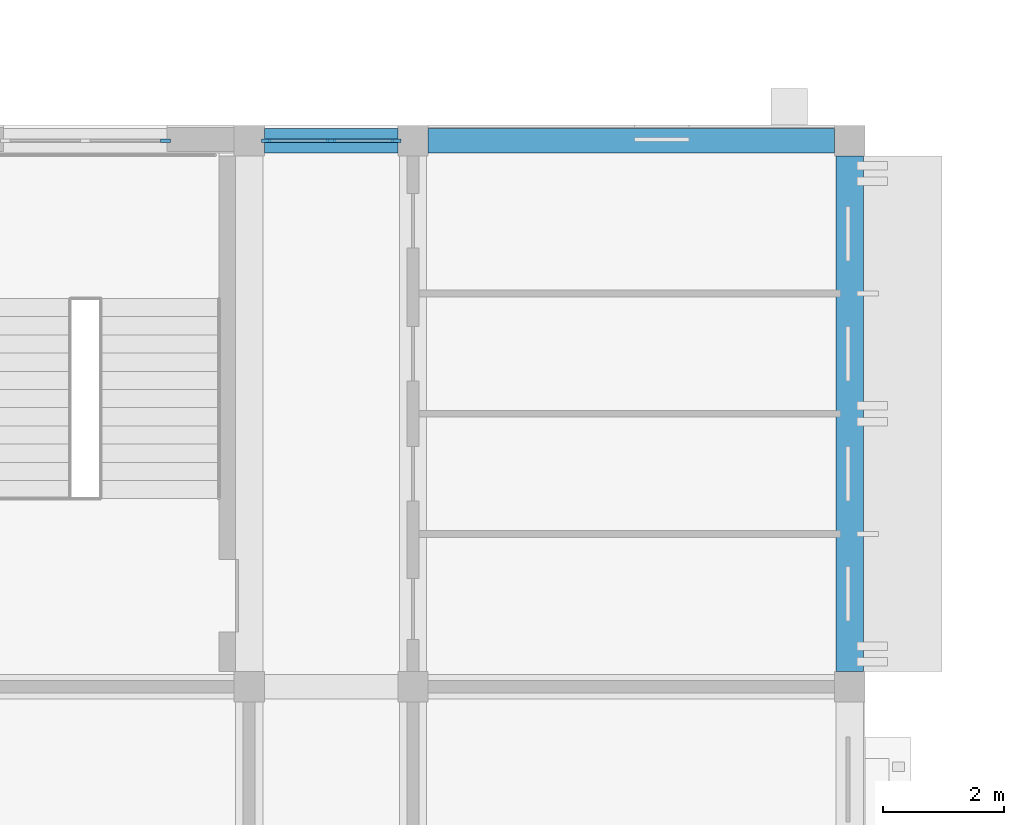
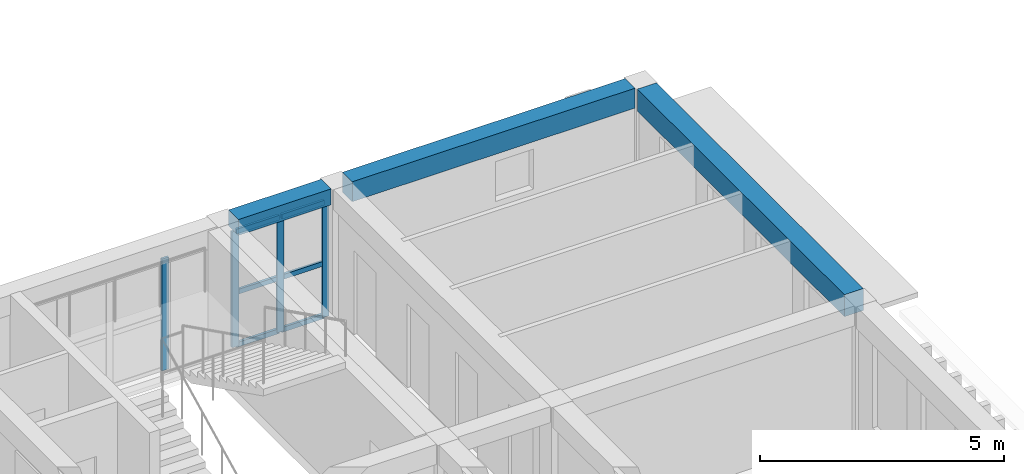
# One storey, part 25 of 70: 10 members, 3 beams, 2 elements without a shape of their own.
"""IFC4 building model written with IfcOpenShell, lengths in metres."""

from ifc_helpers import new_model, si_unit, direction, frame, origin, origin_2d, place, context, subcontext, project, spatial, rectangle, extrude, material, layer, layer_set, material_profile, profile_set, type_object, element, aggregate, save


model = new_model("IFC4")

# Units and contexts
model_context = context("Model", 3, precision=1e-05, world=origin(), true_north=direction((0.0, 1.0)))
body_context = subcontext(model_context, "Body", "Model", "MODEL_VIEW")
ifc_project = project(units=[si_unit("LENGTHUNIT", "METRE"), si_unit("AREAUNIT", "SQUARE_METRE"), si_unit("VOLUMEUNIT", "CUBIC_METRE"), si_unit("PLANEANGLEUNIT", "RADIAN"), si_unit("MASSUNIT", "GRAM", prefix="KILO")], contexts=[model_context])

# Site, building, storey
site_placement = place(None, origin())
site = spatial("IfcSite", under=ifc_project, at=site_placement, CompositionType="ELEMENT")
building_placement = place(site_placement, origin())
building = spatial("IfcBuilding", under=site, at=building_placement, Name="Elbe Cascade School", CompositionType="ELEMENT")
storey_placement = place(building_placement, frame((0.0, 0.0, 8.10009765625)))
storey = spatial("IfcBuildingStorey", under=building, at=storey_placement, Name="L02", CompositionType="ELEMENT", Elevation=8.10009765625)

# Curtain wall, member
ifc_material_1 = material(Name="Aluminium frame with double glazing, bronze anodised", Category="aluminium")
ifc_layer = layer(ifc_material_1, 0.159912109375)
ifc_layer_set = layer_set([ifc_layer], Name="Aluminium frame with double glazing, bronze anodised")
curtain_wall_type = type_object("IfcCurtainWallType", Name="Bars envelope Curtain wall, aluminium, bronze anodised, storey-high slot", PredefinedType="NOTDEFINED", material=ifc_layer_set)
curtain_wall_1_placement = place(storey_placement, origin())
curtain_wall_1 = element("IfcCurtainWall", 1, at=curtain_wall_1_placement, inside=storey, type_object=curtain_wall_type, Name="Curtain wall CW4 C.L02.n1", PredefinedType="NOTDEFINED")
ifc_material_2 = material(Name="Aluminium mullion, bronze anodised", Category="aluminium")
ifc_material_profile_1 = material_profile(ifc_material_2, rectangle(XDim=0.06005859375, YDim=0.159912109375, at=origin_2d()), Name="Bars envelope Curtain wall mullion 60 x 160, aluminium, storey-high slot")
ifc_profile_set_1 = profile_set([ifc_material_profile_1], Name="Aluminium mullion, bronze anodised")
member_type_1 = type_object("IfcMemberType", Name="Bars envelope Curtain wall mullion 60 x 160, aluminium, storey-high slot", PredefinedType="MULLION", material=ifc_profile_set_1)
member_1_placement = place(storey_placement, frame((134.02001953125, 60.0, 0.0), z_axis=(0.0, 0.0, 1.0), x_axis=(0.0, 1.0, 0.0)))
member_1 = element("IfcMember", 2, at=member_1_placement, type_object=member_type_1, Name="CW4 mullion 3", PredefinedType="MULLION", context=body_context, shape_type="SweptSolid", body=[
    extrude(rectangle(XDim=0.06005859375, YDim=0.159912109375, at=origin_2d()), origin(), (0.0, 0.0, 1.0), 2.7998046875),
])
aggregate(curtain_wall_1, [member_1])

# Curtain wall, members
curtain_wall_2_placement = place(storey_placement, origin())
curtain_wall_2 = element("IfcCurtainWall", 3, at=curtain_wall_2_placement, inside=storey, type_object=curtain_wall_type, Name="Curtain wall CW4 C.L02.n2", PredefinedType="NOTDEFINED")
member_2_placement = place(storey_placement, frame((135.679931640625, 60.0, 0.0), z_axis=(0.0, 0.0, 1.0), x_axis=(0.0, 1.0, 0.0)))
member_2 = element("IfcMember", 4, at=member_2_placement, type_object=member_type_1, Name="CW4 mullion 1", PredefinedType="MULLION", context=body_context, shape_type="SweptSolid", body=[
    extrude(rectangle(XDim=0.06005859375, YDim=0.159912109375, at=origin_2d()), origin(), (0.0, 0.0, 1.0), 2.89990234375),
])
member_3_placement = place(storey_placement, frame((136.75, 60.0, 0.0), z_axis=(0.0, 0.0, 1.0), x_axis=(0.0, 1.0, 0.0)))
member_3 = element("IfcMember", 5, at=member_3_placement, type_object=member_type_1, Name="CW4 mullion 2", PredefinedType="MULLION", context=body_context, shape_type="SweptSolid", body=[
    extrude(rectangle(XDim=0.06005859375, YDim=0.159912109375, at=origin_2d()), origin(), (0.0, 0.0, 1.0), 2.89990234375),
])
member_4_placement = place(storey_placement, frame((137.820068359375, 60.0, 0.0), z_axis=(0.0, 0.0, 1.0), x_axis=(0.0, 1.0, 0.0)))
member_4 = element("IfcMember", 6, at=member_4_placement, type_object=member_type_1, Name="CW4 mullion 3", PredefinedType="MULLION", context=body_context, shape_type="SweptSolid", body=[
    extrude(rectangle(XDim=0.06005859375, YDim=0.159912109375, at=origin_2d()), origin(), (0.0, 0.0, 1.0), 2.89990234375),
])
ifc_material_3 = material(Name="Aluminium transom, bronze anodised", Category="aluminium")
ifc_material_profile_2 = material_profile(ifc_material_3, rectangle(XDim=0.06005859375, YDim=0.1201171875, at=origin_2d()), Name="Bars envelope Curtain wall transom 60 x 120, aluminium, storey-high slot")
ifc_profile_set_2 = profile_set([ifc_material_profile_2], Name="Aluminium transom, bronze anodised")
member_type_2 = type_object("IfcMemberType", Name="Bars envelope Curtain wall transom 60 x 120, aluminium, storey-high slot", PredefinedType="USERDEFINED", material=ifc_profile_set_2)
member_5_placement = place(storey_placement, frame((135.7099609375, 60.0, 0.02978515625), z_axis=(1.0, 0.0, 0.0), x_axis=(0.0, 1.0, 0.0)))
member_5 = element("IfcMember", 7, at=member_5_placement, type_object=member_type_2, Name="CW4 transom 1.1", ObjectType="TRANSOM", PredefinedType="USERDEFINED", context=body_context, shape_type="SweptSolid", body=[
    extrude(rectangle(XDim=0.06005859375, YDim=0.1201171875, at=origin_2d()), origin(), (0.0, 0.0, 1.0), 1.010009765625),
])
member_6_placement = place(storey_placement, frame((135.7099609375, 60.0, 1.349853515625), z_axis=(1.0, 0.0, 0.0), x_axis=(0.0, 1.0, 0.0)))
member_6 = element("IfcMember", 8, at=member_6_placement, type_object=member_type_2, Name="CW4 transom 1.2", ObjectType="TRANSOM", PredefinedType="USERDEFINED", context=body_context, shape_type="SweptSolid", body=[
    extrude(rectangle(XDim=0.06005859375, YDim=0.1201171875, at=origin_2d()), origin(), (0.0, 0.0, 1.0), 1.010009765625),
])
member_7_placement = place(storey_placement, frame((135.7099609375, 60.0, 2.869873046875), z_axis=(1.0, 0.0, 0.0), x_axis=(0.0, 1.0, 0.0)))
member_7 = element("IfcMember", 9, at=member_7_placement, type_object=member_type_2, Name="CW4 transom 1.3", ObjectType="TRANSOM", PredefinedType="USERDEFINED", context=body_context, shape_type="SweptSolid", body=[
    extrude(rectangle(XDim=0.06005859375, YDim=0.1201171875, at=origin_2d()), origin(), (0.0, 0.0, 1.0), 1.010009765625),
])
member_8_placement = place(storey_placement, frame((136.780029296875, 60.0, 0.02978515625), z_axis=(1.0, 0.0, 0.0), x_axis=(0.0, 1.0, 0.0)))
member_8 = element("IfcMember", 10, at=member_8_placement, type_object=member_type_2, Name="CW4 transom 2.1", ObjectType="TRANSOM", PredefinedType="USERDEFINED", context=body_context, shape_type="SweptSolid", body=[
    extrude(rectangle(XDim=0.06005859375, YDim=0.1201171875, at=origin_2d()), origin(), (0.0, 0.0, 1.0), 1.010009765625),
])
member_9_placement = place(storey_placement, frame((136.780029296875, 60.0, 1.349853515625), z_axis=(1.0, 0.0, 0.0), x_axis=(0.0, 1.0, 0.0)))
member_9 = element("IfcMember", 11, at=member_9_placement, type_object=member_type_2, Name="CW4 transom 2.2", ObjectType="TRANSOM", PredefinedType="USERDEFINED", context=body_context, shape_type="SweptSolid", body=[
    extrude(rectangle(XDim=0.06005859375, YDim=0.1201171875, at=origin_2d()), origin(), (0.0, 0.0, 1.0), 1.010009765625),
])
member_10_placement = place(storey_placement, frame((136.780029296875, 60.0, 2.869873046875), z_axis=(1.0, 0.0, 0.0), x_axis=(0.0, 1.0, 0.0)))
member_10 = element("IfcMember", 12, at=member_10_placement, type_object=member_type_2, Name="CW4 transom 2.3", ObjectType="TRANSOM", PredefinedType="USERDEFINED", context=body_context, shape_type="SweptSolid", body=[
    extrude(rectangle(XDim=0.06005859375, YDim=0.1201171875, at=origin_2d()), origin(), (0.0, 0.0, 1.0), 1.010009765625),
])
aggregate(curtain_wall_2, [member_2, member_3, member_4, member_5, member_6, member_7, member_8, member_9, member_10])

# Beams
ifc_material_4 = material(Name="Concrete C30/37", Category="concrete")
ifc_material_profile_3 = material_profile(ifc_material_4, rectangle(XDim=0.39990234375, YDim=0.39990234375, at=origin_2d()), Name="RC 400x400")
ifc_profile_set_3 = profile_set([ifc_material_profile_3], Name="Concrete C30/37")
beam_type_1 = type_object("IfcBeamType", Name="RC 400x400 beam", PredefinedType="BEAM", material=ifc_profile_set_3)
beam_1_placement = place(storey_placement, frame((135.64990234375, 60.0, 3.099853515625), z_axis=(1.0, 0.0, 0.0), x_axis=(0.0, 1.0, 0.0)))
element("IfcBeam", 13, at=beam_1_placement, inside=storey, type_object=beam_type_1, Name="RC 400x400 beam B5", PredefinedType="BEAM", context=body_context, shape_type="SweptSolid", body=[
    extrude(rectangle(XDim=0.39990234375, YDim=0.39990234375, at=origin_2d()), origin(), (0.0, 0.0, 1.0), 2.2001953125),
])
ifc_material_5 = material(Name="Concrete C30/37", Category="concrete")
ifc_material_profile_4 = material_profile(ifc_material_5, rectangle(XDim=0.39990234375, YDim=0.5, at=origin_2d()), Name="RC 400x500")
ifc_profile_set_4 = profile_set([ifc_material_profile_4], Name="Concrete C30/37")
beam_type_2 = type_object("IfcBeamType", Name="RC 400x500 beam", PredefinedType="BEAM", material=ifc_profile_set_4)
beam_2_placement = place(storey_placement, frame((138.35009765625, 60.0, 3.0498046875), z_axis=(1.0, 0.0, 0.0), x_axis=(0.0, 1.0, 0.0)))
element("IfcBeam", 14, at=beam_2_placement, inside=storey, type_object=beam_type_2, Name="RC 400x500 beam B1", PredefinedType="BEAM", context=body_context, shape_type="SweptSolid", body=[
    extrude(rectangle(XDim=0.39990234375, YDim=0.5, at=origin_2d()), origin(), (0.0, 0.0, 1.0), 6.699951171875),
])
ifc_material_6 = material(Name="Concrete C30/37", Category="concrete")
ifc_material_profile_5 = material_profile(ifc_material_6, rectangle(XDim=0.449951171875, YDim=0.550048828125, at=origin_2d()), Name="RC 450x550")
ifc_profile_set_5 = profile_set([ifc_material_profile_5], Name="Concrete C30/37")
beam_type_3 = type_object("IfcBeamType", Name="RC 450x550 beam", PredefinedType="BEAM", material=ifc_profile_set_5)
beam_3_placement = place(storey_placement, frame((145.300048828125, 51.25, 3.02490234375), z_axis=(0.0, 1.0, 0.0), x_axis=(-1.0, 0.0, 0.0)))
element("IfcBeam", 15, at=beam_3_placement, inside=storey, type_object=beam_type_3, Name="RC 450x550 beam B12", PredefinedType="BEAM", context=body_context, shape_type="SweptSolid", body=[
    extrude(rectangle(XDim=0.449951171875, YDim=0.550048828125, at=origin_2d()), origin(), (0.0, 0.0, 1.0), 8.5),
])

save(model, "model.ifc")
